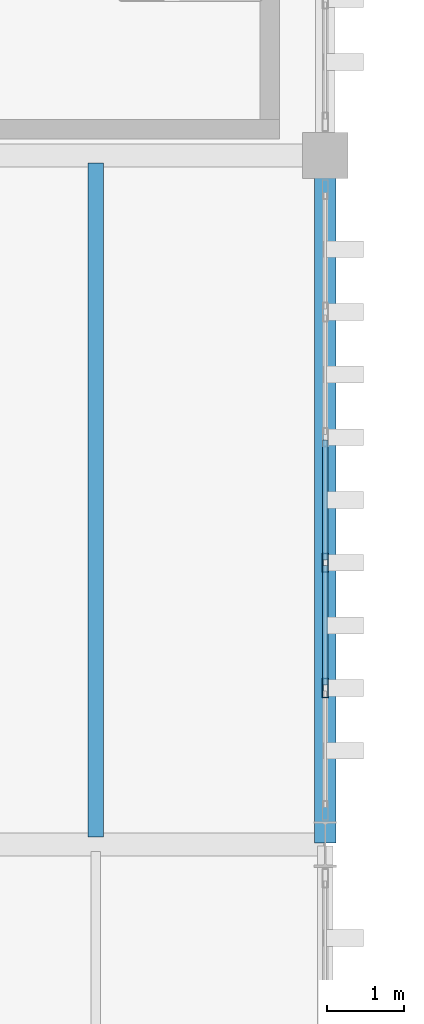
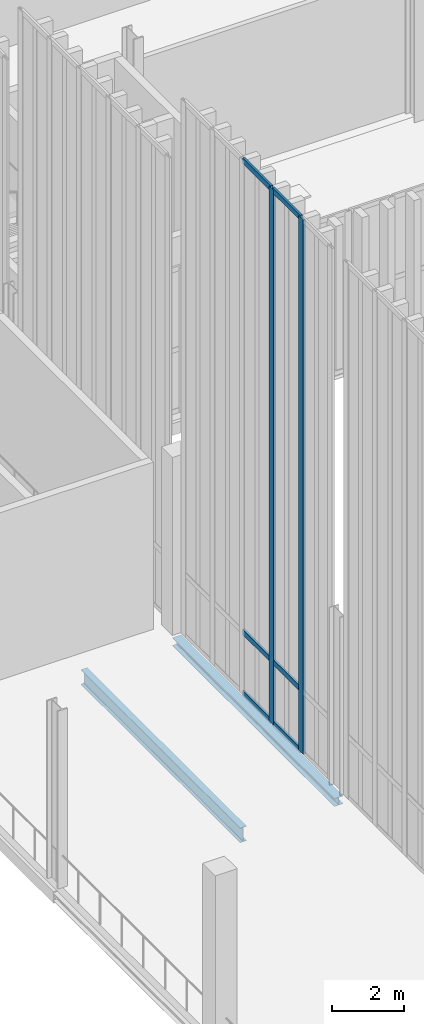
# One storey, part 57 of 237: 8 members, 2 beams, 1 element without a shape of its own.
"""IFC4 building model written with IfcOpenShell, lengths in metres."""

from ifc_helpers import new_model, si_unit, direction, frame, origin, origin_2d, place, context, subcontext, project, spatial, hollow_rectangle, i_section, extrude, material, layer, layer_set, material_profile, profile_set, type_object, element, aggregate, save


model = new_model("IFC4")

# Units and contexts
model_context = context("Model", 3, precision=1e-05, world=origin(), true_north=direction((0.0, 1.0)))
body_context = subcontext(model_context, "Body", "Model", "MODEL_VIEW")
ifc_project = project(units=[si_unit("LENGTHUNIT", "METRE"), si_unit("AREAUNIT", "SQUARE_METRE"), si_unit("VOLUMEUNIT", "CUBIC_METRE"), si_unit("PLANEANGLEUNIT", "RADIAN"), si_unit("MASSUNIT", "GRAM", prefix="KILO")], contexts=[model_context])

# Site, building, storey
site_placement = place(None, origin())
site = spatial("IfcSite", under=ifc_project, at=site_placement, CompositionType="ELEMENT")
building_placement = place(site_placement, origin())
building = spatial("IfcBuilding", under=site, at=building_placement, Name="Barlavento Convention Centre", CompositionType="ELEMENT")
storey_placement = place(building_placement, frame((0.0, 0.0, 12.0)))
storey = spatial("IfcBuildingStorey", under=building, at=storey_placement, Name="L02", CompositionType="ELEMENT", Elevation=12.0)

# Curtain wall, members
ifc_material_1 = material(Name="Powder-coated aluminium and Low-E glass", Category="aluminium")
ifc_layer = layer(ifc_material_1, 0.18994140625)
ifc_layer_set = layer_set([ifc_layer], Name="ARC-CW-CONG-L02")
curtain_wall_type = type_object("IfcCurtainWallType", Name="ARC-CW-CONG-L02", PredefinedType="NOTDEFINED", material=ifc_layer_set)
curtain_wall_placement = place(storey_placement, origin())
curtain_wall = element("IfcCurtainWall", 1, at=curtain_wall_placement, inside=storey, type_object=curtain_wall_type, Name="L02 unitised curtain wall CW02", PredefinedType="NOTDEFINED")
ifc_material_2 = material(Name="Powder-coated aluminium", Category="aluminium")
ifc_material_profile_1 = material_profile(ifc_material_2, hollow_rectangle(XDim=0.074951171875, YDim=0.25, WallThickness=0.006103515625, at=origin_2d()), Name="AL-MULL 75x250x6")
ifc_profile_set_1 = profile_set([ifc_material_profile_1], Name="Powder-coated aluminium")
member_type_1 = type_object("IfcMemberType", Name="ARC-CWM-75X250", PredefinedType="MULLION", material=ifc_profile_set_1)
member_1_placement = place(storey_placement, frame((63.0, 29.04296875, 0.0), z_axis=(0.0, 0.0, 1.0), x_axis=(-1.0, 0.0, 0.0)))
member_1 = element("IfcMember", 2, at=member_1_placement, type_object=member_type_1, Name="CW02 mullion 2", PredefinedType="MULLION", context=body_context, shape_type="SweptSolid", body=[
    extrude(hollow_rectangle(XDim=0.074951171875, YDim=0.25, WallThickness=0.006103515625, at=origin_2d()), origin(), (0.0, 0.0, 1.0), 18.037109375),
])
member_2_placement = place(storey_placement, frame((63.0, 30.680908203125, 0.0), z_axis=(0.0, 0.0, 1.0), x_axis=(-1.0, 0.0, 0.0)))
member_2 = element("IfcMember", 3, at=member_2_placement, type_object=member_type_1, Name="CW02 mullion 3", PredefinedType="MULLION", context=body_context, shape_type="SweptSolid", body=[
    extrude(hollow_rectangle(XDim=0.074951171875, YDim=0.25, WallThickness=0.006103515625, at=origin_2d()), origin(), (0.0, 0.0, 1.0), 18.037109375),
])
ifc_material_profile_2 = material_profile(ifc_material_2, hollow_rectangle(XDim=0.070068359375, YDim=0.179931640625, WallThickness=0.0048828125, at=origin_2d()), Name="AL-TRAN 70x180x5")
ifc_profile_set_2 = profile_set([ifc_material_profile_2], Name="Powder-coated aluminium")
member_type_2 = type_object("IfcMemberType", Name="ARC-CWT-70X180", PredefinedType="USERDEFINED", material=ifc_profile_set_2)
member_3_placement = place(storey_placement, frame((63.0, 29.08056640625, 0.034912109375), z_axis=(0.0, 1.0, 0.0), x_axis=(-1.0, 0.0, 0.0)))
member_3 = element("IfcMember", 4, at=member_3_placement, type_object=member_type_2, Name="CW02 transom 2.1", ObjectType="TRANSOM", PredefinedType="USERDEFINED", context=body_context, shape_type="SweptSolid", body=[
    extrude(hollow_rectangle(XDim=0.070068359375, YDim=0.179931640625, WallThickness=0.0048828125, at=origin_2d()), origin(), (0.0, 0.0, 1.0), 1.56298828125),
])
member_4_placement = place(storey_placement, frame((63.0, 29.08056640625, 2.10009765625), z_axis=(0.0, 1.0, 0.0), x_axis=(-1.0, 0.0, 0.0)))
member_4 = element("IfcMember", 5, at=member_4_placement, type_object=member_type_2, Name="CW02 transom 2.2", ObjectType="TRANSOM", PredefinedType="USERDEFINED", context=body_context, shape_type="SweptSolid", body=[
    extrude(hollow_rectangle(XDim=0.070068359375, YDim=0.179931640625, WallThickness=0.0048828125, at=origin_2d()), origin(), (0.0, 0.0, 1.0), 1.56298828125),
])
member_5_placement = place(storey_placement, frame((63.0, 29.08056640625, 18.001953125), z_axis=(0.0, 1.0, 0.0), x_axis=(-1.0, 0.0, 0.0)))
member_5 = element("IfcMember", 6, at=member_5_placement, type_object=member_type_2, Name="CW02 transom 2.3", ObjectType="TRANSOM", PredefinedType="USERDEFINED", context=body_context, shape_type="SweptSolid", body=[
    extrude(hollow_rectangle(XDim=0.070068359375, YDim=0.179931640625, WallThickness=0.0048828125, at=origin_2d()), origin(), (0.0, 0.0, 1.0), 1.56298828125),
])
member_6_placement = place(storey_placement, frame((63.0, 30.718505859375, 0.034912109375), z_axis=(0.0, 1.0, 0.0), x_axis=(-1.0, 0.0, 0.0)))
member_6 = element("IfcMember", 7, at=member_6_placement, type_object=member_type_2, Name="CW02 transom 3.1", ObjectType="TRANSOM", PredefinedType="USERDEFINED", context=body_context, shape_type="SweptSolid", body=[
    extrude(hollow_rectangle(XDim=0.070068359375, YDim=0.179931640625, WallThickness=0.0048828125, at=origin_2d()), origin(), (0.0, 0.0, 1.0), 1.56298828125),
])
member_7_placement = place(storey_placement, frame((63.0, 30.718505859375, 2.10009765625), z_axis=(0.0, 1.0, 0.0), x_axis=(-1.0, 0.0, 0.0)))
member_7 = element("IfcMember", 8, at=member_7_placement, type_object=member_type_2, Name="CW02 transom 3.2", ObjectType="TRANSOM", PredefinedType="USERDEFINED", context=body_context, shape_type="SweptSolid", body=[
    extrude(hollow_rectangle(XDim=0.070068359375, YDim=0.179931640625, WallThickness=0.0048828125, at=origin_2d()), origin(), (0.0, 0.0, 1.0), 1.56298828125),
])
member_8_placement = place(storey_placement, frame((63.0, 30.718505859375, 18.001953125), z_axis=(0.0, 1.0, 0.0), x_axis=(-1.0, 0.0, 0.0)))
member_8 = element("IfcMember", 9, at=member_8_placement, type_object=member_type_2, Name="CW02 transom 3.3", ObjectType="TRANSOM", PredefinedType="USERDEFINED", context=body_context, shape_type="SweptSolid", body=[
    extrude(hollow_rectangle(XDim=0.070068359375, YDim=0.179931640625, WallThickness=0.0048828125, at=origin_2d()), origin(), (0.0, 0.0, 1.0), 1.56298828125),
])
aggregate(curtain_wall, [member_1, member_2, member_3, member_4, member_5, member_6, member_7, member_8])

# Beams
ifc_material_3 = material(Name="Steel S355", Category="steel")
ifc_material_profile_3 = material_profile(ifc_material_3, i_section(OverallWidth=0.199951171875, OverallDepth=0.5, WebThickness=0.01025390625, FlangeThickness=0.01611328125, FilletRadius=0.02099609375, at=origin_2d()), Name="IPE 500")
ifc_profile_set_3 = profile_set([ifc_material_profile_3], Name="Steel S355")
beam_type_1 = type_object("IfcBeamType", Name="STR-BM-JST-IPE500", PredefinedType="JOIST", material=ifc_profile_set_3)
beam_1_placement = place(storey_placement, frame((60.0, 27.094970703125, -0.550048828125), z_axis=(0.0, 1.0, 0.0), x_axis=(-1.0, 0.0, 0.0)))
element("IfcBeam", 10, at=beam_1_placement, inside=storey, type_object=beam_type_1, Name="L02 composite floor joist SJ02", PredefinedType="JOIST", context=body_context, shape_type="SweptSolid", body=[
    extrude(i_section(OverallWidth=0.199951171875, OverallDepth=0.5, WebThickness=0.01025390625, FlangeThickness=0.01611328125, FilletRadius=0.02099609375, at=origin_2d()), origin(), (0.0, 0.0, 1.0), 8.81005859375),
])
ifc_material_profile_4 = material_profile(ifc_material_3, i_section(OverallWidth=0.280029296875, OverallDepth=0.27001953125, WebThickness=0.008056640625, FlangeThickness=0.012939453125, FilletRadius=0.02392578125, at=origin_2d()), Name="HEA 280")
ifc_profile_set_4 = profile_set([ifc_material_profile_4], Name="Steel S355")
beam_type_2 = type_object("IfcBeamType", Name="STR-BM-SPN-HEA280", PredefinedType="SPANDREL", material=ifc_profile_set_4)
beam_2_placement = place(storey_placement, frame((63.0, 27.02001953125, -0.43505859375), z_axis=(0.0, 1.0, 0.0), x_axis=(-1.0, 0.0, 0.0)))
element("IfcBeam", 11, at=beam_2_placement, inside=storey, type_object=beam_type_2, Name="L02 grid girder SP03", PredefinedType="SPANDREL", context=body_context, shape_type="SweptSolid", body=[
    extrude(i_section(OverallWidth=0.280029296875, OverallDepth=0.27001953125, WebThickness=0.008056640625, FlangeThickness=0.012939453125, FilletRadius=0.02392578125, at=origin_2d()), origin(), (0.0, 0.0, 1.0), 8.9599609375),
])

save(model, "model.ifc")
